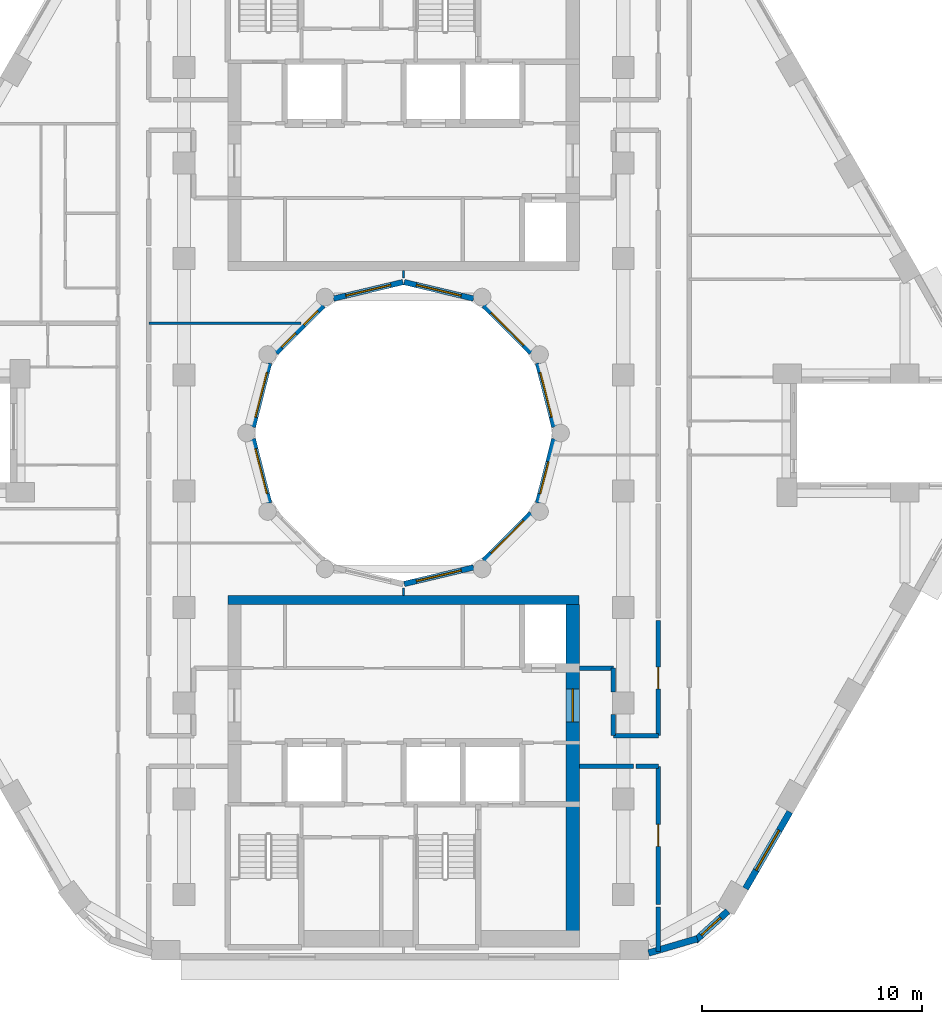
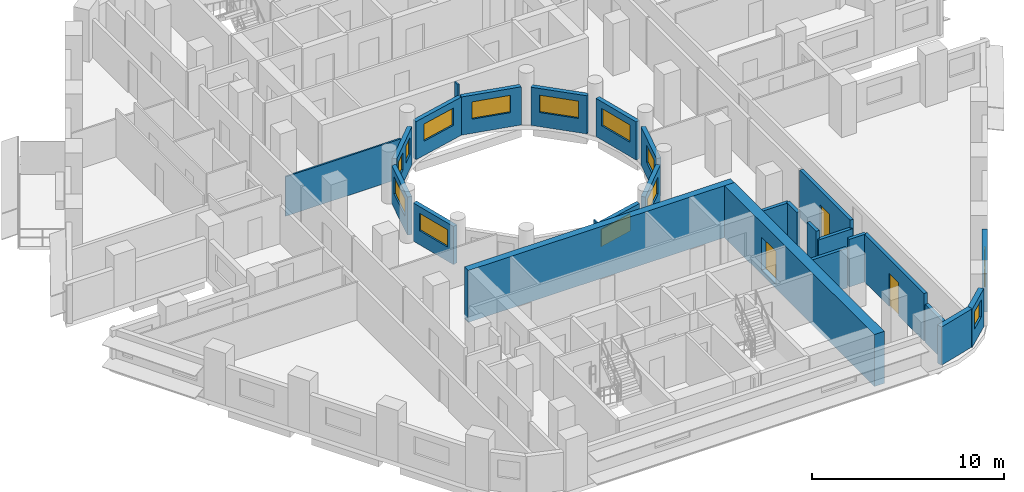
# One storey, part 5 of 13: 27 walls, 13 windows, 3 doors, 16 openings.
"""IFC4 building model written with IfcOpenShell, lengths in metres."""

from ifc_helpers import new_model, si_unit, direction, frame, frame_2d, origin, place, context, subcontext, project, spatial, rectangle, extrude, material, layer, layer_set, type_object, element, fill, save


model = new_model("IFC4")

# Units and contexts
model_context = context("Model", 3, precision=1e-05, world=origin(), true_north=direction((0.0, 1.0)))
body_context = subcontext(model_context, "Body", "Model", "MODEL_VIEW")
ifc_project = project(units=[si_unit("LENGTHUNIT", "METRE"), si_unit("AREAUNIT", "SQUARE_METRE"), si_unit("VOLUMEUNIT", "CUBIC_METRE"), si_unit("PLANEANGLEUNIT", "RADIAN"), si_unit("MASSUNIT", "GRAM", prefix="KILO")], contexts=[model_context])

# Site, building, storey
site_placement = place(None, origin())
site = spatial("IfcSite", under=ifc_project, at=site_placement, CompositionType="ELEMENT")
building_placement = place(site_placement, origin())
building = spatial("IfcBuilding", under=site, at=building_placement, Name="Nakaniwa Court", CompositionType="ELEMENT")
storey_placement = place(building_placement, frame((0.0, 0.0, 153.60009765625)))
storey = spatial("IfcBuildingStorey", under=building, at=storey_placement, Name="L40", CompositionType="ELEMENT", Elevation=153.60009765625)

# Wall
ifc_material_1 = material(Name="Acoustic double stud partition")
ifc_layer_1 = layer(ifc_material_1, 0.199951171875)
ifc_layer_set_1 = layer_set([ifc_layer_1], Name="Acoustic double stud partition")
wall_type_1 = type_object("IfcWallType", Name="Acoustic double stud partition 200", PredefinedType="PARTITIONING", material=ifc_layer_set_1)
wall_1_placement = place(storey_placement, frame((91.60009765625, 56.40087890625, 0.0), z_axis=(0.0, 0.0, 1.0), x_axis=(0.0, 1.0, 0.0)))
element("IfcWall", 1, at=wall_1_placement, inside=storey, type_object=wall_type_1, Name="Partition PW-067", PredefinedType="PARTITIONING", context=body_context, shape_type="SweptSolid", body=[
    extrude(rectangle(XDim=2.02197265625, YDim=0.199951171875, at=frame_2d((1.010986328125, 0.0))), origin(), (0.0, 0.0, 1.0), 2.40478515625),
])

# Wall, opening, door
wall_2_placement = place(storey_placement, frame((91.60009765625, 58.537109375, 0.0), z_axis=(0.0, 0.0, 1.0), x_axis=(0.0, 1.0, 0.0)))
wall_2 = element("IfcWall", 2, at=wall_2_placement, inside=storey, type_object=wall_type_1, Name="Partition PW-068", PredefinedType="PARTITIONING", context=body_context, shape_type="SweptSolid", body=[
    extrude(rectangle(XDim=6.287841796875, YDim=0.199951171875, at=frame_2d((3.14404296875, 0.0))), origin(), (0.0, 0.0, 1.0), 3.02490234375),
])
opening_1_placement = place(wall_2_placement, frame((2.64501953125, 0.0, 0.0)))
opening_1 = element("IfcOpeningElement", 3, at=opening_1_placement, cuts=wall_2, Name="Opening D-02-01", PredefinedType="OPENING", context=body_context, shape_type="SweptSolid", body=[
    extrude(rectangle(XDim=1.0, YDim=2.10009765625, at=frame_2d((0.5, 1.050048828125))), frame((0.0, 0.10986328125, 0.0), z_axis=(0.0, -1.0, 0.0), x_axis=(1.0, 0.0, 0.0)), (0.0, 0.0, 1.0), 0.219970703125),
])
ifc_material_2 = material(Name="Solid core timber door set, black veneer", Category="wood")
door_type_1 = type_object("IfcDoorType", Name="Internal door 1000", OperationType="NOTDEFINED", PredefinedType="DOOR", material=ifc_material_2)
door_1_placement = place(opening_1_placement, origin())
door_1 = element("IfcDoor", 4, at=door_1_placement, inside=storey, type_object=door_type_1, Name="Door D-02-01 L40-023", OperationType="SINGLE_SWING_RIGHT", OverallHeight=2.10009765625, OverallWidth=1.0, PredefinedType="DOOR", context=body_context, shape_type="SweptSolid", body=[
    extrude(rectangle(XDim=1.0, YDim=2.10009765625, at=frame_2d((0.5, 1.050048828125))), frame((0.0, 0.02490234375, 0.0), z_axis=(0.0, -1.0, 0.0), x_axis=(1.0, 0.0, 0.0)), (0.0, 0.0, 1.0), 0.050048828125),
])
fill(opening_1, door_1)

wall_3_placement = place(storey_placement, frame((91.60009765625, 66.22509765625, 0.0), z_axis=(0.0, 0.0, 1.0), x_axis=(0.0, 1.0, 0.0)))
wall_3 = element("IfcWall", 5, at=wall_3_placement, inside=storey, type_object=wall_type_1, Name="Partition PW-069", PredefinedType="PARTITIONING", context=body_context, shape_type="SweptSolid", body=[
    extrude(rectangle(XDim=5.247802734375, YDim=0.199951171875, at=frame_2d((2.6240234375, 0.0))), origin(), (0.0, 0.0, 1.0), 3.02490234375),
])
opening_2_placement = place(wall_3_placement, frame((2.123046875, 0.0, 0.0)))
opening_2 = element("IfcOpeningElement", 6, at=opening_2_placement, cuts=wall_3, Name="Opening D-02-03", PredefinedType="OPENING", context=body_context, shape_type="SweptSolid", body=[
    extrude(rectangle(XDim=1.0, YDim=2.10009765625, at=frame_2d((0.5, 1.050048828125))), frame((0.0, 0.10986328125, 0.0), z_axis=(0.0, -1.0, 0.0), x_axis=(1.0, 0.0, 0.0)), (0.0, 0.0, 1.0), 0.219970703125),
])
door_2_placement = place(opening_2_placement, origin())
door_2 = element("IfcDoor", 7, at=door_2_placement, inside=storey, type_object=door_type_1, Name="Door D-02-03 L40-025", OperationType="SINGLE_SWING_RIGHT", OverallHeight=2.10009765625, OverallWidth=1.0, PredefinedType="DOOR", context=body_context, shape_type="SweptSolid", body=[
    extrude(rectangle(XDim=1.0, YDim=2.10009765625, at=frame_2d((0.5, 1.050048828125))), frame((0.0, 0.02490234375, 0.0), z_axis=(0.0, -1.0, 0.0), x_axis=(1.0, 0.0, 0.0)), (0.0, 0.0, 1.0), 0.050048828125),
])
fill(opening_2, door_2)

# Walls
wall_4_placement = place(storey_placement, frame((88.0, 64.824951171875, 0.0), z_axis=(0.0, 0.0, 1.0), x_axis=(1.0, 0.0, 0.0)))
element("IfcWall", 8, at=wall_4_placement, inside=storey, type_object=wall_type_1, Name="Partition PW-078", PredefinedType="PARTITIONING", context=body_context, shape_type="SweptSolid", body=[
    extrude(rectangle(XDim=2.462890625, YDim=0.199951171875, at=frame_2d((1.2314453125, 0.0))), origin(), (0.0, 0.0, 1.0), 2.5048828125),
])
wall_5_placement = place(storey_placement, frame((90.5771484375, 64.824951171875, 0.0), z_axis=(0.0, 0.0, 1.0), x_axis=(1.0, 0.0, 0.0)))
element("IfcWall", 9, at=wall_5_placement, inside=storey, type_object=wall_type_1, Name="Partition PW-079", PredefinedType="PARTITIONING", context=body_context, shape_type="SweptSolid", body=[
    extrude(rectangle(XDim=1.02294921875, YDim=0.199951171875, at=frame_2d((0.511474609375, 0.0))), origin(), (0.0, 0.0, 1.0), 3.02490234375),
])
wall_6_placement = place(storey_placement, frame((88.0, 69.300048828125, 0.0), z_axis=(0.0, 0.0, 1.0), x_axis=(1.0, 0.0, 0.0)))
element("IfcWall", 10, at=wall_6_placement, inside=storey, type_object=wall_type_1, Name="Partition PW-082", PredefinedType="PARTITIONING", context=body_context, shape_type="SweptSolid", body=[
    extrude(rectangle(XDim=1.550048828125, YDim=0.199951171875, at=frame_2d((0.77490234375, 0.0))), origin(), (0.0, 0.0, 1.0), 3.02490234375),
])
wall_7_placement = place(storey_placement, frame((89.550048828125, 66.22509765625, 0.0), z_axis=(0.0, 0.0, 1.0), x_axis=(0.0, 1.0, 0.0)))
element("IfcWall", 11, at=wall_7_placement, inside=storey, type_object=wall_type_1, Name="Partition PW-083", PredefinedType="PARTITIONING", context=body_context, shape_type="SweptSolid", body=[
    extrude(rectangle(XDim=0.957763671875, YDim=0.199951171875, at=frame_2d((0.47900390625, 0.0))), origin(), (0.0, 0.0, 1.0), 3.02490234375),
])
wall_8_placement = place(storey_placement, frame((89.550048828125, 68.21728515625, 0.0), z_axis=(0.0, 0.0, 1.0), x_axis=(0.0, 1.0, 0.0)))
element("IfcWall", 12, at=wall_8_placement, inside=storey, type_object=wall_type_1, Name="Partition PW-084", PredefinedType="PARTITIONING", context=body_context, shape_type="SweptSolid", body=[
    extrude(rectangle(XDim=1.082763671875, YDim=0.199951171875, at=frame_2d((0.54150390625, 0.0))), origin(), (0.0, 0.0, 1.0), 3.02490234375),
])
wall_9_placement = place(storey_placement, frame((89.550048828125, 66.22509765625, 0.0), z_axis=(0.0, 0.0, 1.0), x_axis=(1.0, 0.0, 0.0)))
element("IfcWall", 13, at=wall_9_placement, inside=storey, type_object=wall_type_1, Name="Partition PW-088", PredefinedType="PARTITIONING", context=body_context, shape_type="SweptSolid", body=[
    extrude(rectangle(XDim=2.050048828125, YDim=0.199951171875, at=frame_2d((1.02490234375, 0.0))), origin(), (0.0, 0.0, 1.0), 2.5048828125),
])
ifc_material_3 = material(Name="Charcoal ceramic cladding")
ifc_layer_2 = layer(ifc_material_3, 0.02, Name="Ceramic cladding")
ifc_material_4 = material(Name="Ventilated air cavity")
ifc_layer_3 = layer(ifc_material_4, 0.04, ventilated=True, Name="Ventilated cavity")
ifc_material_5 = material(Name="Mineral wool insulation")
ifc_layer_4 = layer(ifc_material_5, 0.1, Name="Insulation")
ifc_material_6 = material(Name="Cement bonded sheathing board")
ifc_layer_5 = layer(ifc_material_6, 0.012, Name="Sheathing")
ifc_material_7 = material(Name="Cold-formed galvanised stud frame with mineral wool infill")
ifc_layer_6 = layer(ifc_material_7, 0.1, Name="Stud frame")
ifc_material_8 = material(Name="Fire-rated gypsum plasterboard lining")
ifc_layer_7 = layer(ifc_material_8, 0.028, Name="Lining")
ifc_layer_set_2 = layer_set([ifc_layer_2, ifc_layer_3, ifc_layer_4, ifc_layer_5, ifc_layer_6, ifc_layer_7], Name="Charcoal ceramic faced external wall system")
wall_type_2 = type_object("IfcWallType", Name="Black ceramic faced external wall 300", PredefinedType="SOLIDWALL", material=ifc_layer_set_2)
wall_10_placement = place(storey_placement, frame((91.1533203125, 56.328125, 0.0), z_axis=(0.0, 0.0, 1.0), x_axis=(0.959473072336, 0.281800325517, 0.0)))
element("IfcWall", 14, at=wall_10_placement, inside=storey, type_object=wall_type_2, Name="L40 external wall 27", PredefinedType="SOLIDWALL", context=body_context, shape_type="SweptSolid", body=[
    extrude(rectangle(XDim=2.3115234375, YDim=0.300048828125, at=frame_2d((1.15576171875, 0.0))), origin(), (0.0, 0.0, 1.0), 2.4248046875),
])

# Wall, opening, window
wall_11_placement = place(storey_placement, frame((93.2783203125, 56.890380859375, 0.0), z_axis=(0.0, 0.0, 1.0), x_axis=(0.740652597499, 0.671888182526, 0.0)))
wall_11 = element("IfcWall", 15, at=wall_11_placement, inside=storey, type_object=wall_type_2, Name="L40 external wall 28", PredefinedType="SOLIDWALL", context=body_context, shape_type="SweptSolid", body=[
    extrude(rectangle(XDim=1.998779296875, YDim=0.300048828125, at=frame_2d((0.99951171875, 0.0))), origin(), (0.0, 0.0, 1.0), 2.4248046875),
])
opening_3_placement = place(wall_11_placement, frame((0.359619140625, 0.0, 0.89990234375)))
opening_3 = element("IfcOpeningElement", 16, at=opening_3_placement, cuts=wall_11, Name="Opening W6.27", PredefinedType="OPENING", context=body_context, shape_type="SweptSolid", body=[
    extrude(rectangle(XDim=1.199951171875, YDim=1.10009765625, at=frame_2d((0.60009765625, 0.550048828125))), frame((0.0, 0.159912109375, 0.0), z_axis=(0.0, -1.0, 0.0), x_axis=(1.0, 0.0, 0.0)), (0.0, 0.0, 1.0), 0.320068359375),
])
ifc_material_9 = material(Name="Black anodised aluminium frame with dark low-E laminated double glazing", Category="aluminium")
window_type_1 = type_object("IfcWindowType", Name="Dark glass window 1200x1100 sill 900", PartitioningType="SINGLE_PANEL", PredefinedType="WINDOW", material=ifc_material_9)
window_1_placement = place(opening_3_placement, origin())
window_1 = element("IfcWindow", 17, at=window_1_placement, inside=storey, type_object=window_type_1, Name="L40 habitable room window 28-0", OverallHeight=1.10009765625, OverallWidth=1.199951171875, PartitioningType="SINGLE_PANEL", PredefinedType="WINDOW", context=body_context, shape_type="SweptSolid", body=[
    extrude(rectangle(XDim=1.199951171875, YDim=1.10009765625, at=frame_2d((0.60009765625, 0.550048828125))), frame((0.0, 0.030029296875, 0.0), z_axis=(0.0, -1.0, 0.0), x_axis=(1.0, 0.0, 0.0)), (0.0, 0.0, 1.0), 0.06005859375),
])
fill(opening_3, window_1)

wall_12_placement = place(storey_placement, frame((95.565185546875, 59.260009765625, 0.0), z_axis=(0.0, 0.0, 1.0), x_axis=(0.500031546601, 0.86600718958, 0.0)))
wall_12 = element("IfcWall", 18, at=wall_12_placement, inside=storey, type_object=wall_type_2, Name="L40 external wall 29", PredefinedType="SOLIDWALL", context=body_context, shape_type="SweptSolid", body=[
    extrude(rectangle(XDim=4.033935546875, YDim=0.300048828125, at=frame_2d((2.01708984375, 0.0))), origin(), (0.0, 0.0, 1.0), 2.4248046875),
])
opening_4_placement = place(wall_12_placement, frame((0.967041015625, 0.0, 0.89990234375)))
opening_4 = element("IfcOpeningElement", 19, at=opening_4_placement, cuts=wall_12, Name="Opening W7.28", PredefinedType="OPENING", context=body_context, shape_type="SweptSolid", body=[
    extrude(rectangle(XDim=2.10009765625, YDim=1.10009765625, at=frame_2d((1.050048828125, 0.550048828125))), frame((0.0, 0.159912109375, 0.0), z_axis=(0.0, -1.0, 0.0), x_axis=(1.0, 0.0, 0.0)), (0.0, 0.0, 1.0), 0.320068359375),
])
window_type_2 = type_object("IfcWindowType", Name="Dark glass window 2100x1100 sill 900", PartitioningType="SINGLE_PANEL", PredefinedType="WINDOW", material=ifc_material_9)
window_2_placement = place(opening_4_placement, origin())
window_2 = element("IfcWindow", 20, at=window_2_placement, inside=storey, type_object=window_type_2, Name="L40 habitable room window 29-0", OverallHeight=1.10009765625, OverallWidth=2.10009765625, PartitioningType="SINGLE_PANEL", PredefinedType="WINDOW", context=body_context, shape_type="SweptSolid", body=[
    extrude(rectangle(XDim=2.10009765625, YDim=1.10009765625, at=frame_2d((1.050048828125, 0.550048828125))), frame((0.0, 0.030029296875, 0.0), z_axis=(0.0, -1.0, 0.0), x_axis=(1.0, 0.0, 0.0)), (0.0, 0.0, 1.0), 0.06005859375),
])
fill(opening_4, window_2)

ifc_layer_8 = layer(ifc_material_3, 0.02, Name="Ceramic cladding")
ifc_layer_9 = layer(ifc_material_4, 0.04, ventilated=True, Name="Ventilated cavity")
ifc_layer_10 = layer(ifc_material_5, 0.075, Name="Insulation")
ifc_layer_11 = layer(ifc_material_6, 0.012, Name="Sheathing")
ifc_layer_12 = layer(ifc_material_7, 0.075, Name="Stud frame")
ifc_layer_13 = layer(ifc_material_8, 0.028, Name="Lining")
ifc_layer_set_3 = layer_set([ifc_layer_8, ifc_layer_9, ifc_layer_10, ifc_layer_11, ifc_layer_12, ifc_layer_13], Name="Charcoal ceramic faced external wall system")
wall_type_3 = type_object("IfcWallType", Name="Charcoal ceramic faced well wall 250", PredefinedType="SOLIDWALL", material=ifc_layer_set_3)
wall_13_placement = place(storey_placement, frame((86.8603515625, 79.72998046875, 0.0), z_axis=(0.0, 0.0, 1.0), x_axis=(-0.247055971283, -0.969001211069, 0.0)))
wall_13 = element("IfcWall", 21, at=wall_13_placement, inside=storey, type_object=wall_type_3, Name="L40 external wall 36", PredefinedType="SOLIDWALL", context=body_context, shape_type="SweptSolid", body=[
    extrude(rectangle(XDim=3.010009765625, YDim=0.25, at=frame_2d((1.5048828125, 0.0))), origin(), (0.0, 0.0, 1.0), 2.4248046875),
])
opening_5_placement = place(wall_13_placement, frame((1.077392578125, 0.0, 0.89990234375)))
opening_5 = element("IfcOpeningElement", 22, at=opening_5_placement, cuts=wall_13, Name="Opening W5.36", PredefinedType="OPENING", context=body_context, shape_type="SweptSolid", body=[
    extrude(rectangle(XDim=1.5, YDim=1.10009765625, at=frame_2d((0.75, 0.550048828125))), frame((0.0, 0.135009765625, 0.0), z_axis=(0.0, -1.0, 0.0), x_axis=(1.0, 0.0, 0.0)), (0.0, 0.0, 1.0), 0.27001953125),
])
window_type_3 = type_object("IfcWindowType", Name="Dark glass window 1500x1100 sill 900", PartitioningType="SINGLE_PANEL", PredefinedType="WINDOW", material=ifc_material_9)
window_3_placement = place(opening_5_placement, origin())
window_3 = element("IfcWindow", 23, at=window_3_placement, inside=storey, type_object=window_type_3, Name="L40 habitable room window 36-1", OverallHeight=1.10009765625, OverallWidth=1.5, PartitioningType="SINGLE_PANEL", PredefinedType="WINDOW", context=body_context, shape_type="SweptSolid", body=[
    extrude(rectangle(XDim=1.5, YDim=1.10009765625, at=frame_2d((0.75, 0.550048828125))), frame((0.0, 0.030029296875, 0.0), z_axis=(0.0, -1.0, 0.0), x_axis=(1.0, 0.0, 0.0)), (0.0, 0.0, 1.0), 0.06005859375),
])
fill(opening_5, window_3)

wall_14_placement = place(storey_placement, frame((85.8056640625, 76.339111328125, 0.0), z_axis=(0.0, 0.0, 1.0), x_axis=(-0.707106781187, -0.707106781187, 0.0)))
wall_14 = element("IfcWall", 24, at=wall_14_placement, inside=storey, type_object=wall_type_3, Name="L40 external wall 37", PredefinedType="SOLIDWALL", context=body_context, shape_type="SweptSolid", body=[
    extrude(rectangle(XDim=3.033203125, YDim=0.25, at=frame_2d((1.5166015625, 0.0))), origin(), (0.0, 0.0, 1.0), 2.4248046875),
])
opening_6_placement = place(wall_14_placement, frame((0.466552734375, 0.0, 0.89990234375)))
opening_6 = element("IfcOpeningElement", 25, at=opening_6_placement, cuts=wall_14, Name="Opening W7.37", PredefinedType="OPENING", context=body_context, shape_type="SweptSolid", body=[
    extrude(rectangle(XDim=2.10009765625, YDim=1.10009765625, at=frame_2d((1.050048828125, 0.550048828125))), frame((0.0, 0.135009765625, 0.0), z_axis=(0.0, -1.0, 0.0), x_axis=(1.0, 0.0, 0.0)), (0.0, 0.0, 1.0), 0.27001953125),
])
window_4_placement = place(opening_6_placement, origin())
window_4 = element("IfcWindow", 26, at=window_4_placement, inside=storey, type_object=window_type_2, Name="L40 habitable room window 37-0", OverallHeight=1.10009765625, OverallWidth=2.10009765625, PartitioningType="SINGLE_PANEL", PredefinedType="WINDOW", context=body_context, shape_type="SweptSolid", body=[
    extrude(rectangle(XDim=2.10009765625, YDim=1.10009765625, at=frame_2d((1.050048828125, 0.550048828125))), frame((0.0, 0.030029296875, 0.0), z_axis=(0.0, -1.0, 0.0), x_axis=(1.0, 0.0, 0.0)), (0.0, 0.0, 1.0), 0.06005859375),
])
fill(opening_6, window_4)

wall_15_placement = place(storey_placement, frame((83.186279296875, 73.880615234375, 0.0), z_axis=(0.0, 0.0, 1.0), x_axis=(-0.972773113459, -0.231759508395, 0.0)))
wall_15 = element("IfcWall", 27, at=wall_15_placement, inside=storey, type_object=wall_type_3, Name="L40 external wall 38", PredefinedType="SOLIDWALL", context=body_context, shape_type="SweptSolid", body=[
    extrude(rectangle(XDim=3.24560546875, YDim=0.25, at=frame_2d((1.622802734375, 0.0))), origin(), (0.0, 0.0, 1.0), 2.4248046875),
])
opening_7_placement = place(wall_15_placement, frame((0.57275390625, 0.0, 0.89990234375)))
opening_7 = element("IfcOpeningElement", 28, at=opening_7_placement, cuts=wall_15, Name="Opening W7.38", PredefinedType="OPENING", context=body_context, shape_type="SweptSolid", body=[
    extrude(rectangle(XDim=2.10009765625, YDim=1.10009765625, at=frame_2d((1.050048828125, 0.550048828125))), frame((0.0, 0.135009765625, 0.0), z_axis=(0.0, -1.0, 0.0), x_axis=(1.0, 0.0, 0.0)), (0.0, 0.0, 1.0), 0.27001953125),
])
window_5_placement = place(opening_7_placement, origin())
window_5 = element("IfcWindow", 29, at=window_5_placement, inside=storey, type_object=window_type_2, Name="L40 habitable room window 38-0", OverallHeight=1.10009765625, OverallWidth=2.10009765625, PartitioningType="SINGLE_PANEL", PredefinedType="WINDOW", context=body_context, shape_type="SweptSolid", body=[
    extrude(rectangle(XDim=2.10009765625, YDim=1.10009765625, at=frame_2d((1.050048828125, 0.550048828125))), frame((0.0, 0.030029296875, 0.0), z_axis=(0.0, -1.0, 0.0), x_axis=(1.0, 0.0, 0.0)), (0.0, 0.0, 1.0), 0.06005859375),
])
fill(opening_7, window_5)

wall_16_placement = place(storey_placement, frame((73.88330078125, 76.813232421875, 0.0), z_axis=(0.0, 0.0, 1.0), x_axis=(-0.247055971283, 0.969001211069, 0.0)))
wall_16 = element("IfcWall", 30, at=wall_16_placement, inside=storey, type_object=wall_type_3, Name="L40 external wall 41", PredefinedType="SOLIDWALL", context=body_context, shape_type="SweptSolid", body=[
    extrude(rectangle(XDim=3.010009765625, YDim=0.25, at=frame_2d((1.5048828125, 0.0))), origin(), (0.0, 0.0, 1.0), 2.4248046875),
])
opening_8_placement = place(wall_16_placement, frame((0.441162109375, 0.0, 0.89990234375)))
opening_8 = element("IfcOpeningElement", 31, at=opening_8_placement, cuts=wall_16, Name="Opening W7.42", PredefinedType="OPENING", context=body_context, shape_type="SweptSolid", body=[
    extrude(rectangle(XDim=2.10009765625, YDim=1.10009765625, at=frame_2d((1.050048828125, 0.550048828125))), frame((0.0, 0.135009765625, 0.0), z_axis=(0.0, -1.0, 0.0), x_axis=(1.0, 0.0, 0.0)), (0.0, 0.0, 1.0), 0.27001953125),
])
window_6_placement = place(opening_8_placement, origin())
window_6 = element("IfcWindow", 32, at=window_6_placement, inside=storey, type_object=window_type_2, Name="L40 habitable room window 41-0", OverallHeight=1.10009765625, OverallWidth=2.10009765625, PartitioningType="SINGLE_PANEL", PredefinedType="WINDOW", context=body_context, shape_type="SweptSolid", body=[
    extrude(rectangle(XDim=2.10009765625, YDim=1.10009765625, at=frame_2d((1.050048828125, 0.550048828125))), frame((0.0, 0.030029296875, 0.0), z_axis=(0.0, -1.0, 0.0), x_axis=(1.0, 0.0, 0.0)), (0.0, 0.0, 1.0), 0.06005859375),
])
fill(opening_8, window_6)

wall_17_placement = place(storey_placement, frame((73.1396484375, 80.27001953125, 0.0), z_axis=(0.0, 0.0, 1.0), x_axis=(0.247055971283, 0.969001211069, 0.0)))
wall_17 = element("IfcWall", 33, at=wall_17_placement, inside=storey, type_object=wall_type_3, Name="L40 external wall 42", PredefinedType="SOLIDWALL", context=body_context, shape_type="SweptSolid", body=[
    extrude(rectangle(XDim=3.010009765625, YDim=0.25, at=frame_2d((1.5048828125, 0.0))), origin(), (0.0, 0.0, 1.0), 2.4248046875),
])
opening_9_placement = place(wall_17_placement, frame((0.46875, 0.0, 0.89990234375)))
opening_9 = element("IfcOpeningElement", 34, at=opening_9_placement, cuts=wall_17, Name="Opening W7.43", PredefinedType="OPENING", context=body_context, shape_type="SweptSolid", body=[
    extrude(rectangle(XDim=2.10009765625, YDim=1.10009765625, at=frame_2d((1.050048828125, 0.550048828125))), frame((0.0, 0.135009765625, 0.0), z_axis=(0.0, -1.0, 0.0), x_axis=(1.0, 0.0, 0.0)), (0.0, 0.0, 1.0), 0.27001953125),
])
window_7_placement = place(opening_9_placement, origin())
window_7 = element("IfcWindow", 35, at=window_7_placement, inside=storey, type_object=window_type_2, Name="L40 habitable room window 42-0", OverallHeight=1.10009765625, OverallWidth=2.10009765625, PartitioningType="SINGLE_PANEL", PredefinedType="WINDOW", context=body_context, shape_type="SweptSolid", body=[
    extrude(rectangle(XDim=2.10009765625, YDim=1.10009765625, at=frame_2d((1.050048828125, 0.550048828125))), frame((0.0, 0.030029296875, 0.0), z_axis=(0.0, -1.0, 0.0), x_axis=(1.0, 0.0, 0.0)), (0.0, 0.0, 1.0), 0.06005859375),
])
fill(opening_9, window_7)

# Wall, openings, windows
wall_18_placement = place(storey_placement, frame((74.1943359375, 83.660888671875, 0.0), z_axis=(0.0, 0.0, 1.0), x_axis=(0.707106781187, 0.707106781187, 0.0)))
wall_18 = element("IfcWall", 36, at=wall_18_placement, inside=storey, type_object=wall_type_3, Name="L40 external wall 43", PredefinedType="SOLIDWALL", context=body_context, shape_type="SweptSolid", body=[
    extrude(rectangle(XDim=3.033203125, YDim=0.25, at=frame_2d((1.5166015625, 0.0))), origin(), (0.0, 0.0, 1.0), 2.4248046875),
])
opening_10_placement = place(wall_18_placement, frame((0.353271484375, 0.0, 0.89990234375)))
opening_10 = element("IfcOpeningElement", 37, at=opening_10_placement, cuts=wall_18, Name="Opening W9.44", PredefinedType="OPENING", context=body_context, shape_type="SweptSolid", body=[
    extrude(rectangle(XDim=0.89990234375, YDim=1.10009765625, at=frame_2d((0.449951171875, 0.550048828125))), frame((0.0, 0.135009765625, 0.0), z_axis=(0.0, -1.0, 0.0), x_axis=(1.0, 0.0, 0.0)), (0.0, 0.0, 1.0), 0.27001953125),
])
opening_11_placement = place(wall_18_placement, frame((1.787841796875, 0.0, 0.89990234375)))
opening_11 = element("IfcOpeningElement", 38, at=opening_11_placement, cuts=wall_18, Name="Opening W9.45", PredefinedType="OPENING", context=body_context, shape_type="SweptSolid", body=[
    extrude(rectangle(XDim=0.89990234375, YDim=1.10009765625, at=frame_2d((0.449951171875, 0.550048828125))), frame((0.0, 0.135009765625, 0.0), z_axis=(0.0, -1.0, 0.0), x_axis=(1.0, 0.0, 0.0)), (0.0, 0.0, 1.0), 0.27001953125),
])
window_type_4 = type_object("IfcWindowType", Name="Dark glass window 900x1100 sill 900", PartitioningType="SINGLE_PANEL", PredefinedType="WINDOW", material=ifc_material_9)
window_8_placement = place(opening_10_placement, origin())
window_8 = element("IfcWindow", 39, at=window_8_placement, inside=storey, type_object=window_type_4, Name="L40 habitable room window 43-0", OverallHeight=1.10009765625, OverallWidth=0.89990234375, PartitioningType="SINGLE_PANEL", PredefinedType="WINDOW", context=body_context, shape_type="SweptSolid", body=[
    extrude(rectangle(XDim=0.89990234375, YDim=1.10009765625, at=frame_2d((0.449951171875, 0.550048828125))), frame((0.0, 0.030029296875, 0.0), z_axis=(0.0, -1.0, 0.0), x_axis=(1.0, 0.0, 0.0)), (0.0, 0.0, 1.0), 0.06005859375),
])
fill(opening_10, window_8)
window_9_placement = place(opening_11_placement, origin())
window_9 = element("IfcWindow", 40, at=window_9_placement, inside=storey, type_object=window_type_4, Name="L40 habitable room window 43-1", OverallHeight=1.10009765625, OverallWidth=0.89990234375, PartitioningType="SINGLE_PANEL", PredefinedType="WINDOW", context=body_context, shape_type="SweptSolid", body=[
    extrude(rectangle(XDim=0.89990234375, YDim=1.10009765625, at=frame_2d((0.449951171875, 0.550048828125))), frame((0.0, 0.030029296875, 0.0), z_axis=(0.0, -1.0, 0.0), x_axis=(1.0, 0.0, 0.0)), (0.0, 0.0, 1.0), 0.06005859375),
])
fill(opening_11, window_9)

# Wall, opening, window
wall_19_placement = place(storey_placement, frame((76.813720703125, 86.119384765625, 0.0), z_axis=(0.0, 0.0, 1.0), x_axis=(0.972773113459, 0.231759508395, 0.0)))
wall_19 = element("IfcWall", 41, at=wall_19_placement, inside=storey, type_object=wall_type_3, Name="L40 external wall 44", PredefinedType="SOLIDWALL", context=body_context, shape_type="SweptSolid", body=[
    extrude(rectangle(XDim=3.24560546875, YDim=0.25, at=frame_2d((1.622802734375, 0.0))), origin(), (0.0, 0.0, 1.0), 2.4248046875),
])
opening_12_placement = place(wall_19_placement, frame((0.57275390625, 0.0, 0.89990234375)))
opening_12 = element("IfcOpeningElement", 42, at=opening_12_placement, cuts=wall_19, Name="Opening W7.46", PredefinedType="OPENING", context=body_context, shape_type="SweptSolid", body=[
    extrude(rectangle(XDim=2.10009765625, YDim=1.10009765625, at=frame_2d((1.050048828125, 0.550048828125))), frame((0.0, 0.135009765625, 0.0), z_axis=(0.0, -1.0, 0.0), x_axis=(1.0, 0.0, 0.0)), (0.0, 0.0, 1.0), 0.27001953125),
])
window_10_placement = place(opening_12_placement, origin())
window_10 = element("IfcWindow", 43, at=window_10_placement, inside=storey, type_object=window_type_2, Name="L40 habitable room window 44-0", OverallHeight=1.10009765625, OverallWidth=2.10009765625, PartitioningType="SINGLE_PANEL", PredefinedType="WINDOW", context=body_context, shape_type="SweptSolid", body=[
    extrude(rectangle(XDim=2.10009765625, YDim=1.10009765625, at=frame_2d((1.050048828125, 0.550048828125))), frame((0.0, 0.030029296875, 0.0), z_axis=(0.0, -1.0, 0.0), x_axis=(1.0, 0.0, 0.0)), (0.0, 0.0, 1.0), 0.06005859375),
])
fill(opening_12, window_10)

wall_20_placement = place(storey_placement, frame((80.029052734375, 86.87158203125, 0.0), z_axis=(0.0, 0.0, 1.0), x_axis=(0.972773113459, -0.231759508395, 0.0)))
wall_20 = element("IfcWall", 44, at=wall_20_placement, inside=storey, type_object=wall_type_3, Name="L40 external wall 45", PredefinedType="SOLIDWALL", context=body_context, shape_type="SweptSolid", body=[
    extrude(rectangle(XDim=3.24560546875, YDim=0.25, at=frame_2d((1.622802734375, 0.0))), origin(), (0.0, 0.0, 1.0), 2.4248046875),
])
opening_13_placement = place(wall_20_placement, frame((0.57275390625, 0.0, 0.89990234375)))
opening_13 = element("IfcOpeningElement", 45, at=opening_13_placement, cuts=wall_20, Name="Opening W7.47", PredefinedType="OPENING", context=body_context, shape_type="SweptSolid", body=[
    extrude(rectangle(XDim=2.10009765625, YDim=1.10009765625, at=frame_2d((1.050048828125, 0.550048828125))), frame((0.0, 0.135009765625, 0.0), z_axis=(0.0, -1.0, 0.0), x_axis=(1.0, 0.0, 0.0)), (0.0, 0.0, 1.0), 0.27001953125),
])
window_11_placement = place(opening_13_placement, origin())
window_11 = element("IfcWindow", 46, at=window_11_placement, inside=storey, type_object=window_type_2, Name="L40 habitable room window 45-0", OverallHeight=1.10009765625, OverallWidth=2.10009765625, PartitioningType="SINGLE_PANEL", PredefinedType="WINDOW", context=body_context, shape_type="SweptSolid", body=[
    extrude(rectangle(XDim=2.10009765625, YDim=1.10009765625, at=frame_2d((1.050048828125, 0.550048828125))), frame((0.0, 0.030029296875, 0.0), z_axis=(0.0, -1.0, 0.0), x_axis=(1.0, 0.0, 0.0)), (0.0, 0.0, 1.0), 0.06005859375),
])
fill(opening_13, window_11)

wall_21_placement = place(storey_placement, frame((83.660888671875, 85.8056640625, 0.0), z_axis=(0.0, 0.0, 1.0), x_axis=(0.707106781187, -0.707106781187, 0.0)))
wall_21 = element("IfcWall", 47, at=wall_21_placement, inside=storey, type_object=wall_type_3, Name="L40 external wall 46", PredefinedType="SOLIDWALL", context=body_context, shape_type="SweptSolid", body=[
    extrude(rectangle(XDim=3.033203125, YDim=0.25, at=frame_2d((1.5166015625, 0.0))), origin(), (0.0, 0.0, 1.0), 2.4248046875),
])
opening_14_placement = place(wall_21_placement, frame((0.466552734375, 0.0, 0.89990234375)))
opening_14 = element("IfcOpeningElement", 48, at=opening_14_placement, cuts=wall_21, Name="Opening W7.48", PredefinedType="OPENING", context=body_context, shape_type="SweptSolid", body=[
    extrude(rectangle(XDim=2.10009765625, YDim=1.10009765625, at=frame_2d((1.050048828125, 0.550048828125))), frame((0.0, 0.135009765625, 0.0), z_axis=(0.0, -1.0, 0.0), x_axis=(1.0, 0.0, 0.0)), (0.0, 0.0, 1.0), 0.27001953125),
])
window_12_placement = place(opening_14_placement, origin())
window_12 = element("IfcWindow", 49, at=window_12_placement, inside=storey, type_object=window_type_2, Name="L40 habitable room window 46-0", OverallHeight=1.10009765625, OverallWidth=2.10009765625, PartitioningType="SINGLE_PANEL", PredefinedType="WINDOW", context=body_context, shape_type="SweptSolid", body=[
    extrude(rectangle(XDim=2.10009765625, YDim=1.10009765625, at=frame_2d((1.050048828125, 0.550048828125))), frame((0.0, 0.030029296875, 0.0), z_axis=(0.0, -1.0, 0.0), x_axis=(1.0, 0.0, 0.0)), (0.0, 0.0, 1.0), 0.06005859375),
])
fill(opening_14, window_12)

wall_22_placement = place(storey_placement, frame((86.11669921875, 83.186767578125, 0.0), z_axis=(0.0, 0.0, 1.0), x_axis=(0.247055971283, -0.969001211069, 0.0)))
wall_22 = element("IfcWall", 50, at=wall_22_placement, inside=storey, type_object=wall_type_3, Name="L40 external wall 47", PredefinedType="SOLIDWALL", context=body_context, shape_type="SweptSolid", body=[
    extrude(rectangle(XDim=3.010009765625, YDim=0.25, at=frame_2d((1.5048828125, 0.0))), origin(), (0.0, 0.0, 1.0), 2.4248046875),
])
opening_15_placement = place(wall_22_placement, frame((0.441162109375, 0.0, 0.89990234375)))
opening_15 = element("IfcOpeningElement", 51, at=opening_15_placement, cuts=wall_22, Name="Opening W7.49", PredefinedType="OPENING", context=body_context, shape_type="SweptSolid", body=[
    extrude(rectangle(XDim=2.10009765625, YDim=1.10009765625, at=frame_2d((1.050048828125, 0.550048828125))), frame((0.0, 0.135009765625, 0.0), z_axis=(0.0, -1.0, 0.0), x_axis=(1.0, 0.0, 0.0)), (0.0, 0.0, 1.0), 0.27001953125),
])
window_13_placement = place(opening_15_placement, origin())
window_13 = element("IfcWindow", 52, at=window_13_placement, inside=storey, type_object=window_type_2, Name="L40 habitable room window 47-0", OverallHeight=1.10009765625, OverallWidth=2.10009765625, PartitioningType="SINGLE_PANEL", PredefinedType="WINDOW", context=body_context, shape_type="SweptSolid", body=[
    extrude(rectangle(XDim=2.10009765625, YDim=1.10009765625, at=frame_2d((1.050048828125, 0.550048828125))), frame((0.0, 0.030029296875, 0.0), z_axis=(0.0, -1.0, 0.0), x_axis=(1.0, 0.0, 0.0)), (0.0, 0.0, 1.0), 0.06005859375),
])
fill(opening_15, window_13)

# Wall, opening, door
ifc_material_10 = material(Name="Concrete C80/100", Category="concrete")
ifc_layer_14 = layer(ifc_material_10, 0.60009765625)
ifc_layer_set_4 = layer_set([ifc_layer_14], Name="Concrete C80/100")
wall_type_4 = type_object("IfcWallType", Name="Concrete core side wall 600 C80", PredefinedType="SHEAR", material=ifc_layer_set_4)
wall_23_placement = place(storey_placement, frame((87.699951171875, 72.199951171875, -0.275146484375), z_axis=(0.0, 0.0, 1.0), x_axis=(0.0, -1.0, 0.0)))
wall_23 = element("IfcWall", 53, at=wall_23_placement, inside=storey, type_object=wall_type_4, Name="Core wall SW-40", PredefinedType="SHEAR", context=body_context, shape_type="SweptSolid", body=[
    extrude(rectangle(XDim=15.599853515625, YDim=0.60009765625, at=frame_2d((7.7998046875, 0.0))), origin(), (0.0, 0.0, 1.0), 3.300048828125),
])
opening_16_placement = place(wall_23_placement, frame((3.85205078125, 0.0, 0.27490234375)))
opening_16 = element("IfcOpeningElement", 54, at=opening_16_placement, cuts=wall_23, Name="Opening D-07-03", PredefinedType="OPENING", context=body_context, shape_type="SweptSolid", body=[
    extrude(rectangle(XDim=1.5, YDim=2.10009765625, at=frame_2d((0.75, 1.050048828125))), frame((0.0, 0.31005859375, 0.0), z_axis=(0.0, -1.0, 0.0), x_axis=(1.0, 0.0, 0.0)), (0.0, 0.0, 1.0), 0.6201171875),
])
ifc_material_11 = material(Name="Glazed fire rated steel double door set", Category="steel")
door_type_2 = type_object("IfcDoorType", Name="Lobby double door 1500", OperationType="NOTDEFINED", PredefinedType="DOOR", material=ifc_material_11)
door_3_placement = place(opening_16_placement, origin())
door_3 = element("IfcDoor", 55, at=door_3_placement, inside=storey, type_object=door_type_2, Name="Door D-07-03 L40-051", OperationType="DOUBLE_DOOR_SINGLE_SWING", OverallHeight=2.10009765625, OverallWidth=1.5, PredefinedType="DOOR", context=body_context, shape_type="SweptSolid", body=[
    extrude(rectangle(XDim=1.5, YDim=2.10009765625, at=frame_2d((0.75, 1.050048828125))), frame((0.0, 0.02490234375, 0.0), z_axis=(0.0, -1.0, 0.0), x_axis=(1.0, 0.0, 0.0)), (0.0, 0.0, 1.0), 0.050048828125),
])
fill(opening_16, door_3)

# Walls
ifc_layer_15 = layer(ifc_material_10, 0.39990234375)
ifc_layer_set_5 = layer_set([ifc_layer_15], Name="Concrete C80/100")
wall_type_5 = type_object("IfcWallType", Name="Concrete core well wall 400 C80", PredefinedType="SHEAR", material=ifc_layer_set_5)
wall_24_placement = place(storey_placement, frame((72.00390625, 72.39990234375, -0.275146484375), z_axis=(0.0, 0.0, 1.0), x_axis=(1.0, 0.0, 0.0)))
element("IfcWall", 56, at=wall_24_placement, inside=storey, type_object=wall_type_5, Name="Core wall SW-135", PredefinedType="SHEAR", context=body_context, shape_type="SweptSolid", body=[
    extrude(rectangle(XDim=15.9921875, YDim=0.39990234375, at=frame_2d((7.99609375, 0.0))), origin(), (0.0, 0.0, 1.0), 3.300048828125),
])
ifc_material_12 = material(Name="Single stud plasterboard partition")
ifc_layer_16 = layer(ifc_material_12, 0.10009765625)
ifc_layer_set_6 = layer_set([ifc_layer_16], Name="Single stud plasterboard partition")
wall_type_6 = type_object("IfcWallType", Name="Single stud plasterboard partition 100", PredefinedType="PARTITIONING", material=ifc_layer_set_6)
for number, where, z_axis, x_axis, name in (
    (57, (80.0, 72.60009765625, 0.0), (0.0, 0.0, 1.0), (0.0, 1.0, 0.0), "Partition PW-112"),
    (58, (80.0, 87.048095703125, 0.0), (0.0, 0.0, 1.0), (0.0, 1.0, 0.0), "Partition PW-113"),
):
    element("IfcWall", number, at=place(storey_placement, frame(where, z_axis=z_axis, x_axis=x_axis)), inside=storey, type_object=wall_type_6, Name=name, PredefinedType="PARTITIONING", context=body_context, shape_type="SweptSolid", body=[
        extrude(rectangle(XDim=0.351806640625, YDim=0.10009765625, at=frame_2d((0.17578125, 0.0))), origin(), (0.0, 0.0, 1.0), 3.02490234375),
    ])
wall_25_placement = place(storey_placement, frame((68.40087890625, 85.0, 0.0), z_axis=(0.0, 0.0, 1.0), x_axis=(1.0, 0.0, 0.0)))
element("IfcWall", 59, at=wall_25_placement, inside=storey, type_object=wall_type_6, Name="Partition PW-128", PredefinedType="PARTITIONING", context=body_context, shape_type="SweptSolid", body=[
    extrude(rectangle(XDim=6.92578125, YDim=0.10009765625, at=frame_2d((3.462890625, 0.0))), origin(), (0.0, 0.0, 1.0), 2.5048828125),
])

save(model, "model.ifc")
